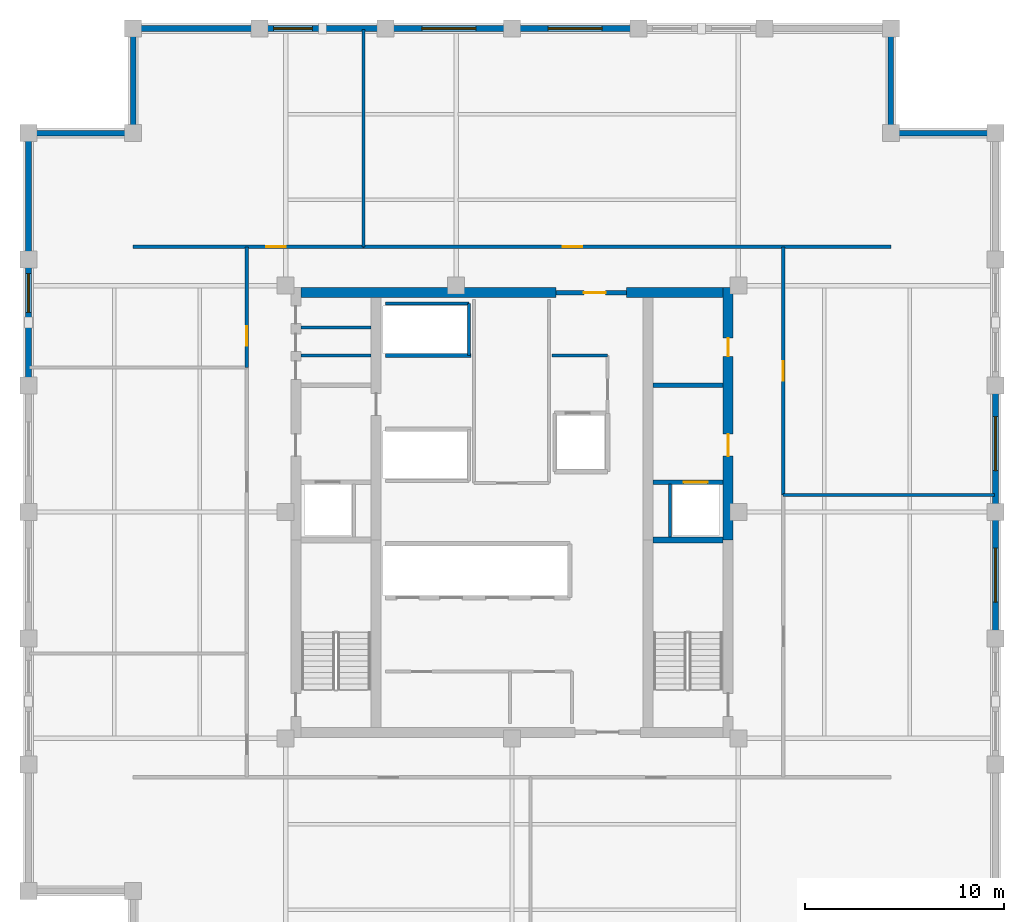
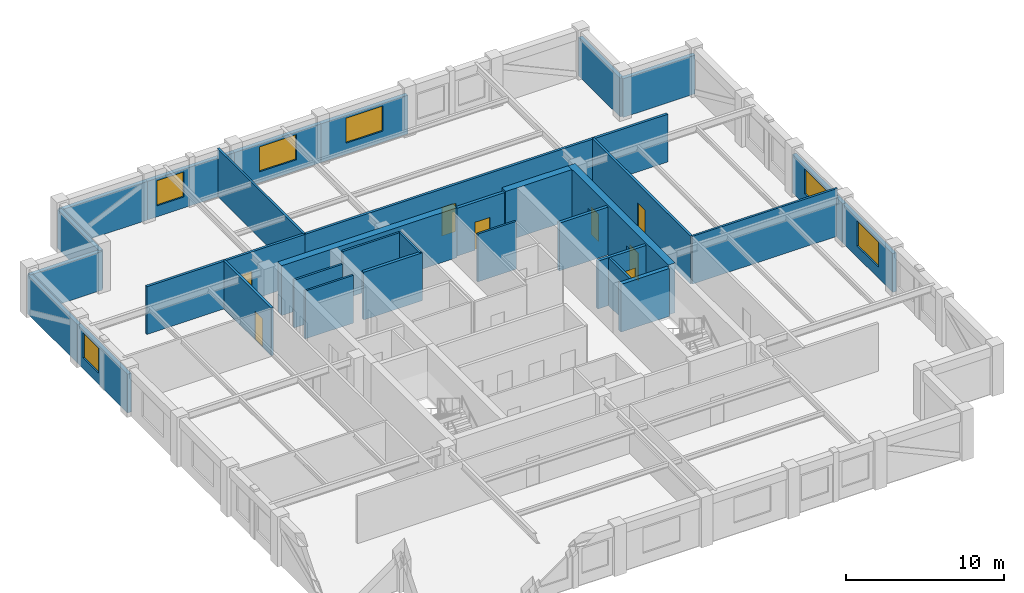
# One storey, part 4 of 6: 32 walls, 8 doors, 6 windows, 14 openings.
"""IFC4 building model written with IfcOpenShell, lengths in metres."""

from ifc_helpers import new_model, si_unit, direction, frame, frame_2d, origin, place, context, subcontext, project, spatial, rectangle, extrude, material, layer, layer_set, type_object, element, fill, save


model = new_model("IFC4")

# Units and contexts
model_context = context("Model", 3, precision=1e-05, world=origin(), true_north=direction((0.0, 1.0)))
body_context = subcontext(model_context, "Body", "Model", "MODEL_VIEW")
ifc_project = project(units=[si_unit("LENGTHUNIT", "METRE"), si_unit("AREAUNIT", "SQUARE_METRE"), si_unit("VOLUMEUNIT", "CUBIC_METRE"), si_unit("PLANEANGLEUNIT", "RADIAN"), si_unit("MASSUNIT", "GRAM", prefix="KILO")], contexts=[model_context])

# Site, building, storey
site_placement = place(None, origin())
site = spatial("IfcSite", under=ifc_project, at=site_placement, CompositionType="ELEMENT")
building_placement = place(site_placement, origin())
building = spatial("IfcBuilding", under=site, at=building_placement, Name="Nhamokura Convention Tower", CompositionType="ELEMENT")
storey_placement = place(building_placement, frame((0.0, 0.0, 217.699951171875)))
storey = spatial("IfcBuildingStorey", under=building, at=storey_placement, Name="L53", CompositionType="ELEMENT", Elevation=217.699951171875)

# Walls
ifc_material_1 = material(Name="Moisture-resistant tile-backer partition", Category="masonry")
ifc_layer_1 = layer(ifc_material_1, 0.139892578125)
ifc_layer_set_1 = layer_set([ifc_layer_1], Name="BathroomWetWall_140")
wall_type_1 = type_object("IfcWallType", Name="BathroomWetWall_140", PredefinedType="STANDARD", material=ifc_layer_set_1)
wall_1_placement = place(storey_placement, frame((21.409912109375, 39.85009765625, 0.0), z_axis=(0.0, 0.0, 1.0), x_axis=(1.0, 0.0, 0.0)))
element("IfcWall", 1, at=wall_1_placement, inside=storey, type_object=wall_type_1, Name="L53 Wall INT-L53-CWNW1", PredefinedType="STANDARD", context=body_context, shape_type="SweptSolid", body=[
    extrude(rectangle(XDim=3.530029296875, YDim=0.139892578125, at=frame_2d((1.76513671875, 0.0))), origin(), (0.0, 0.0, 1.0), 3.68505859375),
])
ifc_material_2 = material(Name="Bronze-pigmented precast concrete C45/55", Category="concrete")
ifc_layer_2 = layer(ifc_material_2, 0.280029296875)
ifc_layer_set_2 = layer_set([ifc_layer_2], Name="BronzePrecastSpandrel_280")
wall_type_2 = type_object("IfcWallType", Name="BronzePrecastSpandrel_280", PredefinedType="USERDEFINED", material=ifc_layer_set_2)
wall_2_placement = place(storey_placement, frame((13.0, 56.25, 0.0), z_axis=(0.0, 0.0, 1.0), x_axis=(1.0, 0.0, 0.0)))
element("IfcWall", 2, at=wall_2_placement, inside=storey, type_object=wall_type_2, Name="L53 Braced-Bay Precast Wall NORTH 0", ObjectType="SPANDREL_WALL", PredefinedType="USERDEFINED", context=body_context, shape_type="SweptSolid", body=[
    extrude(rectangle(XDim=6.333251953125, YDim=0.280029296875, at=frame_2d((3.16650390625, 0.0))), origin(), (0.0, 0.0, 1.0), 2.985107421875),
])

# Wall, opening, window
wall_3_placement = place(storey_placement, frame((19.333251953125, 56.25, 0.0), z_axis=(0.0, 0.0, 1.0), x_axis=(1.0, 0.0, 0.0)))
wall_3 = element("IfcWall", 3, at=wall_3_placement, inside=storey, type_object=wall_type_2, Name="L53 Masonry-Frame Wall NORTH 1", ObjectType="SPANDREL_WALL", PredefinedType="USERDEFINED", context=body_context, shape_type="SweptSolid", body=[
    extrude(rectangle(XDim=6.33349609375, YDim=0.280029296875, at=frame_2d((3.166748046875, 0.0))), origin(), (0.0, 0.0, 1.0), 2.985107421875),
])
opening_1_placement = place(wall_3_placement, frame((0.708251953125, 0.0, 0.85009765625)))
opening_1 = element("IfcOpeningElement", 4, at=opening_1_placement, cuts=wall_3, Name="Opening W-08", PredefinedType="OPENING", context=body_context, shape_type="SweptSolid", body=[
    extrude(rectangle(XDim=1.949951171875, YDim=1.93505859375, at=frame_2d((0.97509765625, 0.967529296875))), frame((0.0, 0.14990234375, 0.0), z_axis=(0.0, -1.0, 0.0), x_axis=(1.0, 0.0, 0.0)), (0.0, 0.0, 1.0), 0.300048828125),
])
ifc_material_3 = material(Name="Solar-control bronze low-E double glass", Category="glass")
window_type_1 = type_object("IfcWindowType", Name="OfficeModuleWindow_Z3_1950", PartitioningType="SINGLE_PANEL", PredefinedType="WINDOW", material=ifc_material_3)
window_1_placement = place(opening_1_placement, origin())
window_1 = element("IfcWindow", 5, at=window_1_placement, inside=storey, type_object=window_type_1, Name="L53 Facade Window NORTH 1-1", OverallHeight=1.93505859375, OverallWidth=1.949951171875, PartitioningType="SINGLE_PANEL", PredefinedType="WINDOW", context=body_context, shape_type="SweptSolid", body=[
    extrude(rectangle(XDim=1.949951171875, YDim=1.93505859375, at=frame_2d((0.97509765625, 0.967529296875))), frame((0.0, 0.030029296875, 0.0), z_axis=(0.0, -1.0, 0.0), x_axis=(1.0, 0.0, 0.0)), (0.0, 0.0, 1.0), 0.06005859375),
])
fill(opening_1, window_1)

wall_4_placement = place(storey_placement, frame((25.666748046875, 56.25, 0.0), z_axis=(0.0, 0.0, 1.0), x_axis=(1.0, 0.0, 0.0)))
wall_4 = element("IfcWall", 6, at=wall_4_placement, inside=storey, type_object=wall_type_2, Name="L53 Masonry-Frame Wall NORTH 2", ObjectType="SPANDREL_WALL", PredefinedType="USERDEFINED", context=body_context, shape_type="SweptSolid", body=[
    extrude(rectangle(XDim=6.333251953125, YDim=0.280029296875, at=frame_2d((3.16650390625, 0.0))), origin(), (0.0, 0.0, 1.0), 2.985107421875),
])
opening_2_placement = place(wall_4_placement, frame((1.816650390625, 0.0, 0.85009765625)))
opening_2 = element("IfcOpeningElement", 7, at=opening_2_placement, cuts=wall_4, Name="Opening W-07", PredefinedType="OPENING", context=body_context, shape_type="SweptSolid", body=[
    extrude(rectangle(XDim=2.699951171875, YDim=1.93505859375, at=frame_2d((1.35009765625, 0.967529296875))), frame((0.0, 0.14990234375, 0.0), z_axis=(0.0, -1.0, 0.0), x_axis=(1.0, 0.0, 0.0)), (0.0, 0.0, 1.0), 0.300048828125),
])
ifc_material_4 = material(Name="Solar-control bronze low-E double glass", Category="glass")
window_type_2 = type_object("IfcWindowType", Name="OfficeModuleWindow_Z3_2700", PartitioningType="DOUBLE_PANEL_VERTICAL", PredefinedType="WINDOW", material=ifc_material_4)
window_2_placement = place(opening_2_placement, origin())
window_2 = element("IfcWindow", 8, at=window_2_placement, inside=storey, type_object=window_type_2, Name="L53 Facade Window NORTH 2", OverallHeight=1.93505859375, OverallWidth=2.699951171875, PartitioningType="SINGLE_PANEL", PredefinedType="WINDOW", context=body_context, shape_type="SweptSolid", body=[
    extrude(rectangle(XDim=2.699951171875, YDim=1.93505859375, at=frame_2d((1.35009765625, 0.967529296875))), frame((0.0, 0.030029296875, 0.0), z_axis=(0.0, -1.0, 0.0), x_axis=(1.0, 0.0, 0.0)), (0.0, 0.0, 1.0), 0.06005859375),
])
fill(opening_2, window_2)

wall_5_placement = place(storey_placement, frame((32.0, 56.25, 0.0), z_axis=(0.0, 0.0, 1.0), x_axis=(1.0, 0.0, 0.0)))
wall_5 = element("IfcWall", 9, at=wall_5_placement, inside=storey, type_object=wall_type_2, Name="L53 Masonry-Frame Wall NORTH 3", ObjectType="SPANDREL_WALL", PredefinedType="USERDEFINED", context=body_context, shape_type="SweptSolid", body=[
    extrude(rectangle(XDim=6.333251953125, YDim=0.280029296875, at=frame_2d((3.16650390625, 0.0))), origin(), (0.0, 0.0, 1.0), 2.985107421875),
])
opening_3_placement = place(wall_5_placement, frame((1.816650390625, 0.0, 0.85009765625)))
opening_3 = element("IfcOpeningElement", 10, at=opening_3_placement, cuts=wall_5, Name="Opening W-07", PredefinedType="OPENING", context=body_context, shape_type="SweptSolid", body=[
    extrude(rectangle(XDim=2.699951171875, YDim=1.93505859375, at=frame_2d((1.35009765625, 0.967529296875))), frame((0.0, 0.14990234375, 0.0), z_axis=(0.0, -1.0, 0.0), x_axis=(1.0, 0.0, 0.0)), (0.0, 0.0, 1.0), 0.300048828125),
])
window_3_placement = place(opening_3_placement, origin())
window_3 = element("IfcWindow", 11, at=window_3_placement, inside=storey, type_object=window_type_2, Name="L53 Facade Window NORTH 3", OverallHeight=1.93505859375, OverallWidth=2.699951171875, PartitioningType="SINGLE_PANEL", PredefinedType="WINDOW", context=body_context, shape_type="SweptSolid", body=[
    extrude(rectangle(XDim=2.699951171875, YDim=1.93505859375, at=frame_2d((1.35009765625, 0.967529296875))), frame((0.0, 0.030029296875, 0.0), z_axis=(0.0, -1.0, 0.0), x_axis=(1.0, 0.0, 0.0)), (0.0, 0.0, 1.0), 0.06005859375),
])
fill(opening_3, window_3)

wall_6_placement = place(storey_placement, frame((7.75, 38.333251953125, 0.0), z_axis=(0.0, 0.0, 1.0), x_axis=(0.0, 1.0, 0.0)))
wall_6 = element("IfcWall", 12, at=wall_6_placement, inside=storey, type_object=wall_type_2, Name="L53 Masonry-Frame Wall WEST 4", ObjectType="SPANDREL_WALL", PredefinedType="USERDEFINED", context=body_context, shape_type="SweptSolid", body=[
    extrude(rectangle(XDim=6.33349609375, YDim=0.280029296875, at=frame_2d((3.166748046875, 0.0))), origin(), (0.0, 0.0, 1.0), 2.985107421875),
])
opening_4_placement = place(wall_6_placement, frame((3.675048828125, 0.0, 0.85009765625)))
opening_4 = element("IfcOpeningElement", 13, at=opening_4_placement, cuts=wall_6, Name="Opening W-08", PredefinedType="OPENING", context=body_context, shape_type="SweptSolid", body=[
    extrude(rectangle(XDim=1.949951171875, YDim=1.93505859375, at=frame_2d((0.97509765625, 0.967529296875))), frame((0.0, 0.14990234375, 0.0), z_axis=(0.0, -1.0, 0.0), x_axis=(1.0, 0.0, 0.0)), (0.0, 0.0, 1.0), 0.300048828125),
])
window_4_placement = place(opening_4_placement, origin())
window_4 = element("IfcWindow", 14, at=window_4_placement, inside=storey, type_object=window_type_1, Name="L53 Facade Window WEST 4-2", OverallHeight=1.93505859375, OverallWidth=1.949951171875, PartitioningType="SINGLE_PANEL", PredefinedType="WINDOW", context=body_context, shape_type="SweptSolid", body=[
    extrude(rectangle(XDim=1.949951171875, YDim=1.93505859375, at=frame_2d((0.97509765625, 0.967529296875))), frame((0.0, 0.030029296875, 0.0), z_axis=(0.0, -1.0, 0.0), x_axis=(1.0, 0.0, 0.0)), (0.0, 0.0, 1.0), 0.06005859375),
])
fill(opening_4, window_4)

# Wall
wall_7_placement = place(storey_placement, frame((7.75, 44.666748046875, 0.0), z_axis=(0.0, 0.0, 1.0), x_axis=(0.0, 1.0, 0.0)))
element("IfcWall", 15, at=wall_7_placement, inside=storey, type_object=wall_type_2, Name="L53 Braced-Bay Precast Wall WEST 5", ObjectType="SPANDREL_WALL", PredefinedType="USERDEFINED", context=body_context, shape_type="SweptSolid", body=[
    extrude(rectangle(XDim=6.333251953125, YDim=0.280029296875, at=frame_2d((3.16650390625, 0.0))), origin(), (0.0, 0.0, 1.0), 2.985107421875),
])

# Wall, opening, window
wall_8_placement = place(storey_placement, frame((56.25, 32.0, 0.0), z_axis=(0.0, 0.0, 1.0), x_axis=(0.0, -1.0, 0.0)))
wall_8 = element("IfcWall", 16, at=wall_8_placement, inside=storey, type_object=wall_type_2, Name="L53 Masonry-Frame Wall EAST 2", ObjectType="SPANDREL_WALL", PredefinedType="USERDEFINED", context=body_context, shape_type="SweptSolid", body=[
    extrude(rectangle(XDim=6.333251953125, YDim=0.280029296875, at=frame_2d((3.16650390625, 0.0))), origin(), (0.0, 0.0, 1.0), 2.985107421875),
])
opening_5_placement = place(wall_8_placement, frame((1.816650390625, 0.0, 0.85009765625)))
opening_5 = element("IfcOpeningElement", 17, at=opening_5_placement, cuts=wall_8, Name="Opening W-07", PredefinedType="OPENING", context=body_context, shape_type="SweptSolid", body=[
    extrude(rectangle(XDim=2.699951171875, YDim=1.93505859375, at=frame_2d((1.35009765625, 0.967529296875))), frame((0.0, 0.14990234375, 0.0), z_axis=(0.0, -1.0, 0.0), x_axis=(1.0, 0.0, 0.0)), (0.0, 0.0, 1.0), 0.300048828125),
])
window_5_placement = place(opening_5_placement, origin())
window_5 = element("IfcWindow", 18, at=window_5_placement, inside=storey, type_object=window_type_2, Name="L53 Facade Window EAST 2", OverallHeight=1.93505859375, OverallWidth=2.699951171875, PartitioningType="SINGLE_PANEL", PredefinedType="WINDOW", context=body_context, shape_type="SweptSolid", body=[
    extrude(rectangle(XDim=2.699951171875, YDim=1.93505859375, at=frame_2d((1.35009765625, 0.967529296875))), frame((0.0, 0.030029296875, 0.0), z_axis=(0.0, -1.0, 0.0), x_axis=(1.0, 0.0, 0.0)), (0.0, 0.0, 1.0), 0.06005859375),
])
fill(opening_5, window_5)

wall_9_placement = place(storey_placement, frame((56.25, 38.333251953125, 0.0), z_axis=(0.0, 0.0, 1.0), x_axis=(0.0, -1.0, 0.0)))
wall_9 = element("IfcWall", 19, at=wall_9_placement, inside=storey, type_object=wall_type_2, Name="L53 Masonry-Frame Wall EAST 3", ObjectType="SPANDREL_WALL", PredefinedType="USERDEFINED", context=body_context, shape_type="SweptSolid", body=[
    extrude(rectangle(XDim=6.333251953125, YDim=0.280029296875, at=frame_2d((3.16650390625, 0.0))), origin(), (0.0, 0.0, 1.0), 2.985107421875),
])
opening_6_placement = place(wall_9_placement, frame((1.55419921875, 0.0, 0.85009765625)))
opening_6 = element("IfcOpeningElement", 20, at=opening_6_placement, cuts=wall_9, Name="Opening W-07", PredefinedType="OPENING", context=body_context, shape_type="SweptSolid", body=[
    extrude(rectangle(XDim=2.699951171875, YDim=1.93505859375, at=frame_2d((1.35009765625, 0.967529296875))), frame((0.0, 0.14990234375, 0.0), z_axis=(0.0, -1.0, 0.0), x_axis=(1.0, 0.0, 0.0)), (0.0, 0.0, 1.0), 0.300048828125),
])
window_6_placement = place(opening_6_placement, origin())
window_6 = element("IfcWindow", 21, at=window_6_placement, inside=storey, type_object=window_type_2, Name="L53 Facade Window EAST 3", OverallHeight=1.93505859375, OverallWidth=2.699951171875, PartitioningType="SINGLE_PANEL", PredefinedType="WINDOW", context=body_context, shape_type="SweptSolid", body=[
    extrude(rectangle(XDim=2.699951171875, YDim=1.93505859375, at=frame_2d((1.35009765625, 0.967529296875))), frame((0.0, 0.030029296875, 0.0), z_axis=(0.0, -1.0, 0.0), x_axis=(1.0, 0.0, 0.0)), (0.0, 0.0, 1.0), 0.06005859375),
])
fill(opening_6, window_6)

# Walls
for number, where, z_axis, x_axis, name in (
    (22, (51.0, 51.0, 0.0), (0.0, 0.0, 1.0), (1.0, 0.0, 0.0), "L53 Notched Corner Wall NE1"),
    (23, (51.0, 56.25, 0.0), (0.0, 0.0, 1.0), (0.0, -1.0, 0.0), "L53 Notched Corner Wall NE2"),
    (24, (13.0, 51.0, 0.0), (0.0, 0.0, 1.0), (0.0, 1.0, 0.0), "L53 Notched Corner Wall NW1"),
    (25, (7.75, 51.0, 0.0), (0.0, 0.0, 1.0), (1.0, 0.0, 0.0), "L53 Notched Corner Wall NW2"),
):
    element("IfcWall", number, at=place(storey_placement, frame(where, z_axis=z_axis, x_axis=x_axis)), inside=storey, type_object=wall_type_2, Name=name, ObjectType="SPANDREL_WALL", PredefinedType="USERDEFINED", context=body_context, shape_type="SweptSolid", body=[
        extrude(rectangle(XDim=5.25, YDim=0.280029296875, at=frame_2d((2.625, 0.0))), origin(), (0.0, 0.0, 1.0), 2.985107421875),
    ])

# Wall, openings, doors
ifc_material_5 = material(Name="Concrete C60/75", Category="concrete")
ifc_layer_3 = layer(ifc_material_5, 0.5)
ifc_layer_set_3 = layer_set([ifc_layer_3], Name="CoreShearWall_500")
wall_type_3 = type_object("IfcWallType", Name="CoreShearWall_500", PredefinedType="SHEAR", material=ifc_layer_set_3)
wall_10_placement = place(storey_placement, frame((42.840087890625, 30.60009765625, 0.0), z_axis=(0.0, 0.0, 1.0), x_axis=(0.0, 1.0, 0.0)))
wall_10 = element("IfcWall", 26, at=wall_10_placement, inside=storey, type_object=wall_type_3, Name="L53 Core Shear Wall CW-EN", PredefinedType="SHEAR", context=body_context, shape_type="SweptSolid", body=[
    extrude(rectangle(XDim=12.64990234375, YDim=0.5, at=frame_2d((6.324951171875, 0.0))), origin(), (0.0, 0.0, 1.0), 3.85009765625),
])
opening_7_placement = place(wall_10_placement, frame((4.199951171875, 0.0, 0.0)))
opening_7 = element("IfcOpeningElement", 27, at=opening_7_placement, cuts=wall_10, Name="Opening D-05", PredefinedType="OPENING", context=body_context, shape_type="SweptSolid", body=[
    extrude(rectangle(XDim=1.10009765625, YDim=2.14990234375, at=frame_2d((0.550048828125, 1.074951171875))), frame((0.0, 0.260009765625, 0.0), z_axis=(0.0, -1.0, 0.0), x_axis=(1.0, 0.0, 0.0)), (0.0, 0.0, 1.0), 0.52001953125),
])
opening_8_placement = place(wall_10_placement, frame((9.199951171875, 0.0, 0.0)))
opening_8 = element("IfcOpeningElement", 28, at=opening_8_placement, cuts=wall_10, Name="Opening D-10", PredefinedType="OPENING", context=body_context, shape_type="SweptSolid", body=[
    extrude(rectangle(XDim=0.919921875, YDim=2.10009765625, at=frame_2d((0.4599609375, 1.050048828125))), frame((0.0, 0.260009765625, 0.0), z_axis=(0.0, -1.0, 0.0), x_axis=(1.0, 0.0, 0.0)), (0.0, 0.0, 1.0), 0.52001953125),
])
ifc_material_6 = material(Name="Solid oak hardwood", Category="wood")
door_type_1 = type_object("IfcDoorType", Name="AccessibleWCDoor_920", OperationType="NOTDEFINED", PredefinedType="DOOR", material=ifc_material_6)
door_1_placement = place(opening_8_placement, origin())
door_1 = element("IfcDoor", 29, at=door_1_placement, inside=storey, type_object=door_type_1, Name="L53 Core Door INT-L53-D-UWC", OperationType="SINGLE_SWING_RIGHT", OverallHeight=2.10009765625, OverallWidth=0.919921875, PredefinedType="DOOR", context=body_context, shape_type="SweptSolid", body=[
    extrude(rectangle(XDim=0.919921875, YDim=2.10009765625, at=frame_2d((0.4599609375, 1.050048828125))), frame((0.0, 0.02490234375, 0.0), z_axis=(0.0, -1.0, 0.0), x_axis=(1.0, 0.0, 0.0)), (0.0, 0.0, 1.0), 0.050048828125),
])
fill(opening_8, door_1)
ifc_material_7 = material(Name="Fire-rated steel door", Category="steel")
door_type_2 = type_object("IfcDoorType", Name="FireLobbyDoor_1100", OperationType="NOTDEFINED", PredefinedType="DOOR", material=ifc_material_7)
door_2_placement = place(opening_7_placement, origin())
door_2 = element("IfcDoor", 30, at=door_2_placement, inside=storey, type_object=door_type_2, Name="L53 Core Door INT-L53-D-FFLE", OperationType="SINGLE_SWING_LEFT", OverallHeight=2.14990234375, OverallWidth=1.10009765625, PredefinedType="DOOR", context=body_context, shape_type="SweptSolid", body=[
    extrude(rectangle(XDim=1.10009765625, YDim=2.14990234375, at=frame_2d((0.550048828125, 1.074951171875))), frame((0.0, 0.02490234375, 0.0), z_axis=(0.0, -1.0, 0.0), x_axis=(1.0, 0.0, 0.0)), (0.0, 0.0, 1.0), 0.050048828125),
])
fill(opening_7, door_2)

# Walls
wall_11_placement = place(storey_placement, frame((21.409912109375, 43.0, 0.0), z_axis=(0.0, 0.0, 1.0), x_axis=(1.0, 0.0, 0.0)))
element("IfcWall", 31, at=wall_11_placement, inside=storey, type_object=wall_type_3, Name="L53 Core Shear Wall CW-N1", PredefinedType="SHEAR", context=body_context, shape_type="SweptSolid", body=[
    extrude(rectangle(XDim=12.7900390625, YDim=0.5, at=frame_2d((6.39501953125, 0.0))), origin(), (0.0, 0.0, 1.0), 3.85009765625),
])
wall_12_placement = place(storey_placement, frame((37.75, 43.0, 0.0), z_axis=(0.0, 0.0, 1.0), x_axis=(1.0, 0.0, 0.0)))
element("IfcWall", 32, at=wall_12_placement, inside=storey, type_object=wall_type_3, Name="L53 Core Shear Wall CW-N2", PredefinedType="SHEAR", context=body_context, shape_type="SweptSolid", body=[
    extrude(rectangle(XDim=4.840087890625, YDim=0.5, at=frame_2d((2.419921875, 0.0))), origin(), (0.0, 0.0, 1.0), 3.85009765625),
])

# Wall, opening, door
ifc_material_8 = material(Name="Fire-rated gypsum and masonry partition", Category="masonry")
ifc_layer_4 = layer(ifc_material_8, 0.179931640625)
ifc_layer_set_4 = layer_set([ifc_layer_4], Name="CorridorRatedWall_180")
wall_type_4 = type_object("IfcWallType", Name="CorridorRatedWall_180", PredefinedType="STANDARD", material=ifc_layer_set_4)
wall_13_placement = place(storey_placement, frame((13.0, 45.300048828125, 0.0), z_axis=(0.0, 0.0, 1.0), x_axis=(1.0, 0.0, 0.0)))
wall_13 = element("IfcWall", 33, at=wall_13_placement, inside=storey, type_object=wall_type_4, Name="L53 Wall INT-L53-CW-N00", PredefinedType="STANDARD", context=body_context, shape_type="SweptSolid", body=[
    extrude(rectangle(XDim=11.541748046875, YDim=0.179931640625, at=frame_2d((5.77099609375, 0.0))), origin(), (0.0, 0.0, 1.0), 3.68505859375),
])
opening_9_placement = place(wall_13_placement, frame((6.6708984375, 0.0, 0.0)))
opening_9 = element("IfcOpeningElement", 34, at=opening_9_placement, cuts=wall_13, Name="Opening D-08", PredefinedType="OPENING", context=body_context, shape_type="SweptSolid", body=[
    extrude(rectangle(XDim=0.97998046875, YDim=2.199951171875, at=frame_2d((0.489990234375, 1.10009765625))), frame((0.0, 0.099853515625, 0.0), z_axis=(0.0, -1.0, 0.0), x_axis=(1.0, 0.0, 0.0)), (0.0, 0.0, 1.0), 0.199951171875),
])
ifc_material_9 = material(Name="Solid oak hardwood", Category="wood")
door_type_3 = type_object("IfcDoorType", Name="OfficeEntryDoor_980", OperationType="NOTDEFINED", PredefinedType="DOOR", material=ifc_material_9)
door_3_placement = place(opening_9_placement, origin())
door_3 = element("IfcDoor", 35, at=door_3_placement, inside=storey, type_object=door_type_3, Name="L53 Exhibition Gallery N01 Door", OperationType="SINGLE_SWING_LEFT", OverallHeight=2.199951171875, OverallWidth=0.97998046875, PredefinedType="DOOR", context=body_context, shape_type="SweptSolid", body=[
    extrude(rectangle(XDim=0.97998046875, YDim=2.199951171875, at=frame_2d((0.489990234375, 1.10009765625))), frame((0.0, 0.02490234375, 0.0), z_axis=(0.0, -1.0, 0.0), x_axis=(1.0, 0.0, 0.0)), (0.0, 0.0, 1.0), 0.050048828125),
])
fill(opening_9, door_3)

wall_14_placement = place(storey_placement, frame((24.541748046875, 45.300048828125, 0.0), z_axis=(0.0, 0.0, 1.0), x_axis=(1.0, 0.0, 0.0)))
wall_14 = element("IfcWall", 36, at=wall_14_placement, inside=storey, type_object=wall_type_4, Name="L53 Wall INT-L53-CW-N01", PredefinedType="STANDARD", context=body_context, shape_type="SweptSolid", body=[
    extrude(rectangle(XDim=26.458251953125, YDim=0.179931640625, at=frame_2d((13.22900390625, 0.0))), origin(), (0.0, 0.0, 1.0), 3.68505859375),
])
opening_10_placement = place(wall_14_placement, frame((10.004150390625, 0.0, 0.0)))
opening_10 = element("IfcOpeningElement", 37, at=opening_10_placement, cuts=wall_14, Name="Opening D-08", PredefinedType="OPENING", context=body_context, shape_type="SweptSolid", body=[
    extrude(rectangle(XDim=0.97998046875, YDim=2.199951171875, at=frame_2d((0.489990234375, 1.10009765625))), frame((0.0, 0.099853515625, 0.0), z_axis=(0.0, -1.0, 0.0), x_axis=(1.0, 0.0, 0.0)), (0.0, 0.0, 1.0), 0.199951171875),
])
door_4_placement = place(opening_10_placement, origin())
door_4 = element("IfcDoor", 38, at=door_4_placement, inside=storey, type_object=door_type_3, Name="L53 Exhibition Gallery N02 Door", OperationType="SINGLE_SWING_RIGHT", OverallHeight=2.199951171875, OverallWidth=0.97998046875, PredefinedType="DOOR", context=body_context, shape_type="SweptSolid", body=[
    extrude(rectangle(XDim=0.97998046875, YDim=2.199951171875, at=frame_2d((0.489990234375, 1.10009765625))), frame((0.0, 0.02490234375, 0.0), z_axis=(0.0, -1.0, 0.0), x_axis=(1.0, 0.0, 0.0)), (0.0, 0.0, 1.0), 0.050048828125),
])
fill(opening_10, door_4)

wall_15_placement = place(storey_placement, frame((18.699951171875, 39.25830078125, 0.0), z_axis=(0.0, 0.0, 1.0), x_axis=(0.0, 1.0, 0.0)))
wall_15 = element("IfcWall", 39, at=wall_15_placement, inside=storey, type_object=wall_type_4, Name="L53 Wall INT-L53-CW-W02", PredefinedType="STANDARD", context=body_context, shape_type="SweptSolid", body=[
    extrude(rectangle(XDim=6.041748046875, YDim=0.179931640625, at=frame_2d((3.02099609375, 0.0))), origin(), (0.0, 0.0, 1.0), 3.68505859375),
])
opening_11_placement = place(wall_15_placement, frame((1.07080078125, 0.0, 0.0)))
opening_11 = element("IfcOpeningElement", 40, at=opening_11_placement, cuts=wall_15, Name="Opening D-08", PredefinedType="OPENING", context=body_context, shape_type="SweptSolid", body=[
    extrude(rectangle(XDim=0.97998046875, YDim=2.199951171875, at=frame_2d((0.489990234375, 1.10009765625))), frame((0.0, 0.099853515625, 0.0), z_axis=(0.0, -1.0, 0.0), x_axis=(1.0, 0.0, 0.0)), (0.0, 0.0, 1.0), 0.199951171875),
])
door_5_placement = place(opening_11_placement, origin())
door_5 = element("IfcDoor", 41, at=door_5_placement, inside=storey, type_object=door_type_3, Name="L53 Materials Library W03 Door", OperationType="SINGLE_SWING_LEFT", OverallHeight=2.199951171875, OverallWidth=0.97998046875, PredefinedType="DOOR", context=body_context, shape_type="SweptSolid", body=[
    extrude(rectangle(XDim=0.97998046875, YDim=2.199951171875, at=frame_2d((0.489990234375, 1.10009765625))), frame((0.0, 0.02490234375, 0.0), z_axis=(0.0, -1.0, 0.0), x_axis=(1.0, 0.0, 0.0)), (0.0, 0.0, 1.0), 0.050048828125),
])
fill(opening_11, door_5)

wall_16_placement = place(storey_placement, frame((45.60009765625, 32.85009765625, 0.0), z_axis=(0.0, 0.0, 1.0), x_axis=(0.0, 1.0, 0.0)))
wall_16 = element("IfcWall", 42, at=wall_16_placement, inside=storey, type_object=wall_type_4, Name="L53 Wall INT-L53-CW-E01", PredefinedType="STANDARD", context=body_context, shape_type="SweptSolid", body=[
    extrude(rectangle(XDim=12.449951171875, YDim=0.179931640625, at=frame_2d((6.22509765625, 0.0))), origin(), (0.0, 0.0, 1.0), 3.68505859375),
])
opening_12_placement = place(wall_16_placement, frame((5.72509765625, 0.0, 0.0)))
opening_12 = element("IfcOpeningElement", 43, at=opening_12_placement, cuts=wall_16, Name="Opening D-08", PredefinedType="OPENING", context=body_context, shape_type="SweptSolid", body=[
    extrude(rectangle(XDim=0.97998046875, YDim=2.199951171875, at=frame_2d((0.489990234375, 1.10009765625))), frame((0.0, 0.099853515625, 0.0), z_axis=(0.0, -1.0, 0.0), x_axis=(1.0, 0.0, 0.0)), (0.0, 0.0, 1.0), 0.199951171875),
])
door_6_placement = place(opening_12_placement, origin())
door_6 = element("IfcDoor", 44, at=door_6_placement, inside=storey, type_object=door_type_3, Name="L53 Collaboration Lounge E02 Door", OperationType="SINGLE_SWING_RIGHT", OverallHeight=2.199951171875, OverallWidth=0.97998046875, PredefinedType="DOOR", context=body_context, shape_type="SweptSolid", body=[
    extrude(rectangle(XDim=0.97998046875, YDim=2.199951171875, at=frame_2d((0.489990234375, 1.10009765625))), frame((0.0, 0.02490234375, 0.0), z_axis=(0.0, -1.0, 0.0), x_axis=(1.0, 0.0, 0.0)), (0.0, 0.0, 1.0), 0.050048828125),
])
fill(opening_12, door_6)

ifc_material_10 = material(Name="Autoclaved concrete blockwork", Category="masonry")
ifc_layer_5 = layer(ifc_material_10, 0.219970703125)
ifc_layer_set_5 = layer_set([ifc_layer_5], Name="FireLobbyWall_220")
wall_type_5 = type_object("IfcWallType", Name="FireLobbyWall_220", PredefinedType="STANDARD", material=ifc_layer_set_5)
wall_17_placement = place(storey_placement, frame((39.06005859375, 33.5, 0.0), z_axis=(0.0, 0.0, 1.0), x_axis=(1.0, 0.0, 0.0)))
wall_17 = element("IfcWall", 45, at=wall_17_placement, inside=storey, type_object=wall_type_5, Name="L53 Wall INT-L53-FFE-S", PredefinedType="STANDARD", context=body_context, shape_type="SweptSolid", body=[
    extrude(rectangle(XDim=3.530029296875, YDim=0.219970703125, at=frame_2d((1.76513671875, 0.0))), origin(), (0.0, 0.0, 1.0), 3.68505859375),
])
opening_13_placement = place(wall_17_placement, frame((1.550048828125, 0.0, 0.0)))
opening_13 = element("IfcOpeningElement", 46, at=opening_13_placement, cuts=wall_17, Name="Opening LD-02", PredefinedType="OPENING", context=body_context, shape_type="SweptSolid", body=[
    extrude(rectangle(XDim=1.199951171875, YDim=2.199951171875, at=frame_2d((0.60009765625, 1.10009765625))), frame((0.0, 0.119873046875, 0.0), z_axis=(0.0, -1.0, 0.0), x_axis=(1.0, 0.0, 0.0)), (0.0, 0.0, 1.0), 0.239990234375),
])
ifc_material_11 = material(Name="Anodised bronze stainless steel", Category="steel")
door_type_4 = type_object("IfcDoorType", Name="LiftLandingDoor_FireService", OperationType="DOUBLE_DOOR_SLIDING", PredefinedType="DOOR", material=ifc_material_11)
door_7_placement = place(opening_13_placement, origin())
door_7 = element("IfcDoor", 47, at=door_7_placement, inside=storey, type_object=door_type_4, Name="L53 Firefighting Lift LF-02 Door", OperationType="DOUBLE_DOOR_SLIDING", OverallHeight=2.199951171875, OverallWidth=1.199951171875, PredefinedType="DOOR", context=body_context, shape_type="SweptSolid", body=[
    extrude(rectangle(XDim=1.199951171875, YDim=2.199951171875, at=frame_2d((0.60009765625, 1.10009765625))), frame((0.0, 0.02490234375, 0.0), z_axis=(0.0, -1.0, 0.0), x_axis=(1.0, 0.0, 0.0)), (0.0, 0.0, 1.0), 0.050048828125),
])
fill(opening_13, door_7)

# Walls
wall_18_placement = place(storey_placement, frame((39.06005859375, 38.35009765625, 0.0), z_axis=(0.0, 0.0, 1.0), x_axis=(1.0, 0.0, 0.0)))
element("IfcWall", 48, at=wall_18_placement, inside=storey, type_object=wall_type_5, Name="L53 Wall INT-L53-FFE-N", PredefinedType="STANDARD", context=body_context, shape_type="SweptSolid", body=[
    extrude(rectangle(XDim=3.530029296875, YDim=0.219970703125, at=frame_2d((1.76513671875, 0.0))), origin(), (0.0, 0.0, 1.0), 3.68505859375),
])
wall_19_placement = place(storey_placement, frame((25.64990234375, 39.85009765625, 0.0), z_axis=(0.0, 0.0, 1.0), x_axis=(1.0, 0.0, 0.0)))
element("IfcWall", 49, at=wall_19_placement, inside=storey, type_object=wall_type_5, Name="L53 Wall INT-L53-B3N", PredefinedType="STANDARD", context=body_context, shape_type="SweptSolid", body=[
    extrude(rectangle(XDim=4.300048828125, YDim=0.219970703125, at=frame_2d((2.14990234375, 0.0))), origin(), (0.0, 0.0, 1.0), 3.68505859375),
])

# Wall, opening, door
wall_20_placement = place(storey_placement, frame((34.199951171875, 43.0, 0.0), z_axis=(0.0, 0.0, 1.0), x_axis=(1.0, 0.0, 0.0)))
wall_20 = element("IfcWall", 50, at=wall_20_placement, inside=storey, type_object=wall_type_5, Name="L53 Wall INT-L53-CPORT-N", PredefinedType="STANDARD", context=body_context, shape_type="SweptSolid", body=[
    extrude(rectangle(XDim=3.550048828125, YDim=0.219970703125, at=frame_2d((1.77490234375, 0.0))), origin(), (0.0, 0.0, 1.0), 3.68505859375),
])
opening_14_placement = place(wall_20_placement, frame((1.39990234375, 0.0, 0.0)))
opening_14 = element("IfcOpeningElement", 51, at=opening_14_placement, cuts=wall_20, Name="Opening D-05", PredefinedType="OPENING", context=body_context, shape_type="SweptSolid", body=[
    extrude(rectangle(XDim=1.10009765625, YDim=2.14990234375, at=frame_2d((0.550048828125, 1.074951171875))), frame((0.0, 0.119873046875, 0.0), z_axis=(0.0, -1.0, 0.0), x_axis=(1.0, 0.0, 0.0)), (0.0, 0.0, 1.0), 0.239990234375),
])
door_8_placement = place(opening_14_placement, origin())
door_8 = element("IfcDoor", 52, at=door_8_placement, inside=storey, type_object=door_type_2, Name="L53 North Core Lobby Portal Door", OperationType="SINGLE_SWING_RIGHT", OverallHeight=2.14990234375, OverallWidth=1.10009765625, PredefinedType="DOOR", context=body_context, shape_type="SweptSolid", body=[
    extrude(rectangle(XDim=1.10009765625, YDim=2.14990234375, at=frame_2d((0.550048828125, 1.074951171875))), frame((0.0, 0.02490234375, 0.0), z_axis=(0.0, -1.0, 0.0), x_axis=(1.0, 0.0, 0.0)), (0.0, 0.0, 1.0), 0.050048828125),
])
fill(opening_14, door_8)

# Walls
ifc_material_12 = material(Name="Acoustic gypsum stud partition", Category="masonry")
ifc_layer_6 = layer(ifc_material_12, 0.14990234375)
ifc_layer_set_6 = layer_set([ifc_layer_6], Name="InteriorPartition_150")
wall_type_6 = type_object("IfcWallType", Name="InteriorPartition_150", PredefinedType="STANDARD", material=ifc_layer_set_6)
wall_21_placement = place(storey_placement, frame((39.919921875, 30.75, 0.0), z_axis=(0.0, 0.0, 1.0), x_axis=(0.0, 1.0, 0.0)))
element("IfcWall", 53, at=wall_21_placement, inside=storey, type_object=wall_type_6, Name="L53 Wall INT-L53-FF2-W", PredefinedType="STANDARD", context=body_context, shape_type="SweptSolid", body=[
    extrude(rectangle(XDim=2.64990234375, YDim=0.14990234375, at=frame_2d((1.324951171875, 0.0))), origin(), (0.0, 0.0, 1.0), 3.68505859375),
])
wall_22_placement = place(storey_placement, frame((21.409912109375, 41.25, 0.0), z_axis=(0.0, 0.0, 1.0), x_axis=(1.0, 0.0, 0.0)))
element("IfcWall", 54, at=wall_22_placement, inside=storey, type_object=wall_type_6, Name="L53 Wall INT-L53-CWNW2", PredefinedType="STANDARD", context=body_context, shape_type="SweptSolid", body=[
    extrude(rectangle(XDim=3.530029296875, YDim=0.14990234375, at=frame_2d((1.76513671875, 0.0))), origin(), (0.0, 0.0, 1.0), 3.68505859375),
])
wall_23_placement = place(storey_placement, frame((34.0, 39.85009765625, 0.0), z_axis=(0.0, 0.0, 1.0), x_axis=(1.0, 0.0, 0.0)))
element("IfcWall", 55, at=wall_23_placement, inside=storey, type_object=wall_type_6, Name="L53 Wall INT-L53-NE-TELN", PredefinedType="STANDARD", context=body_context, shape_type="SweptSolid", body=[
    extrude(rectangle(XDim=2.800048828125, YDim=0.14990234375, at=frame_2d((1.39990234375, 0.0))), origin(), (0.0, 0.0, 1.0), 3.68505859375),
])
wall_24_placement = place(storey_placement, frame((25.64990234375, 42.449951171875, 0.0), z_axis=(0.0, 0.0, 1.0), x_axis=(1.0, 0.0, 0.0)))
element("IfcWall", 56, at=wall_24_placement, inside=storey, type_object=wall_type_6, Name="L53 Wall INT-L53-B3B-N", PredefinedType="STANDARD", context=body_context, shape_type="SweptSolid", body=[
    extrude(rectangle(XDim=4.2001953125, YDim=0.14990234375, at=frame_2d((2.10009765625, 0.0))), origin(), (0.0, 0.0, 1.0), 3.68505859375),
])
wall_25_placement = place(storey_placement, frame((29.85009765625, 39.85009765625, 0.0), z_axis=(0.0, 0.0, 1.0), x_axis=(0.0, 1.0, 0.0)))
element("IfcWall", 57, at=wall_25_placement, inside=storey, type_object=wall_type_6, Name="L53 Wall INT-L53-B3B-E", PredefinedType="STANDARD", context=body_context, shape_type="SweptSolid", body=[
    extrude(rectangle(XDim=2.599853515625, YDim=0.14990234375, at=frame_2d((1.2998046875, 0.0))), origin(), (0.0, 0.0, 1.0), 3.68505859375),
])
wall_26_placement = place(storey_placement, frame((24.541748046875, 45.300048828125, 0.0), z_axis=(0.0, 0.0, 1.0), x_axis=(0.0, 1.0, 0.0)))
element("IfcWall", 58, at=wall_26_placement, inside=storey, type_object=wall_type_6, Name="L53 Wall INT-L53-RW-N01", PredefinedType="STANDARD", context=body_context, shape_type="SweptSolid", body=[
    extrude(rectangle(XDim=10.889892578125, YDim=0.14990234375, at=frame_2d((5.44482421875, 0.0))), origin(), (0.0, 0.0, 1.0), 3.68505859375),
])
wall_27_placement = place(storey_placement, frame((45.60009765625, 32.85009765625, 0.0), z_axis=(0.0, 0.0, 1.0), x_axis=(1.0, 0.0, 0.0)))
element("IfcWall", 59, at=wall_27_placement, inside=storey, type_object=wall_type_6, Name="L53 Wall INT-L53-RW-E01", PredefinedType="STANDARD", context=body_context, shape_type="SweptSolid", body=[
    extrude(rectangle(XDim=10.58984375, YDim=0.14990234375, at=frame_2d((5.294921875, 0.0))), origin(), (0.0, 0.0, 1.0), 3.68505859375),
])
ifc_material_13 = material(Name="Concrete C50/60", Category="concrete")
ifc_layer_7 = layer(ifc_material_13, 0.300048828125)
ifc_layer_set_7 = layer_set([ifc_layer_7], Name="ShaftEnclosureWall_300")
wall_type_7 = type_object("IfcWallType", Name="ShaftEnclosureWall_300", PredefinedType="SHEAR", material=ifc_layer_set_7)
wall_28_placement = place(storey_placement, frame((39.06005859375, 30.60009765625, 0.0), z_axis=(0.0, 0.0, 1.0), x_axis=(1.0, 0.0, 0.0)))
element("IfcWall", 60, at=wall_28_placement, inside=storey, type_object=wall_type_7, Name="L53 Wall INT-L53-ST02-N", PredefinedType="SHEAR", context=body_context, shape_type="SweptSolid", body=[
    extrude(rectangle(XDim=3.530029296875, YDim=0.300048828125, at=frame_2d((1.76513671875, 0.0))), origin(), (0.0, 0.0, 1.0), 3.68505859375),
])

save(model, "model.ifc")
